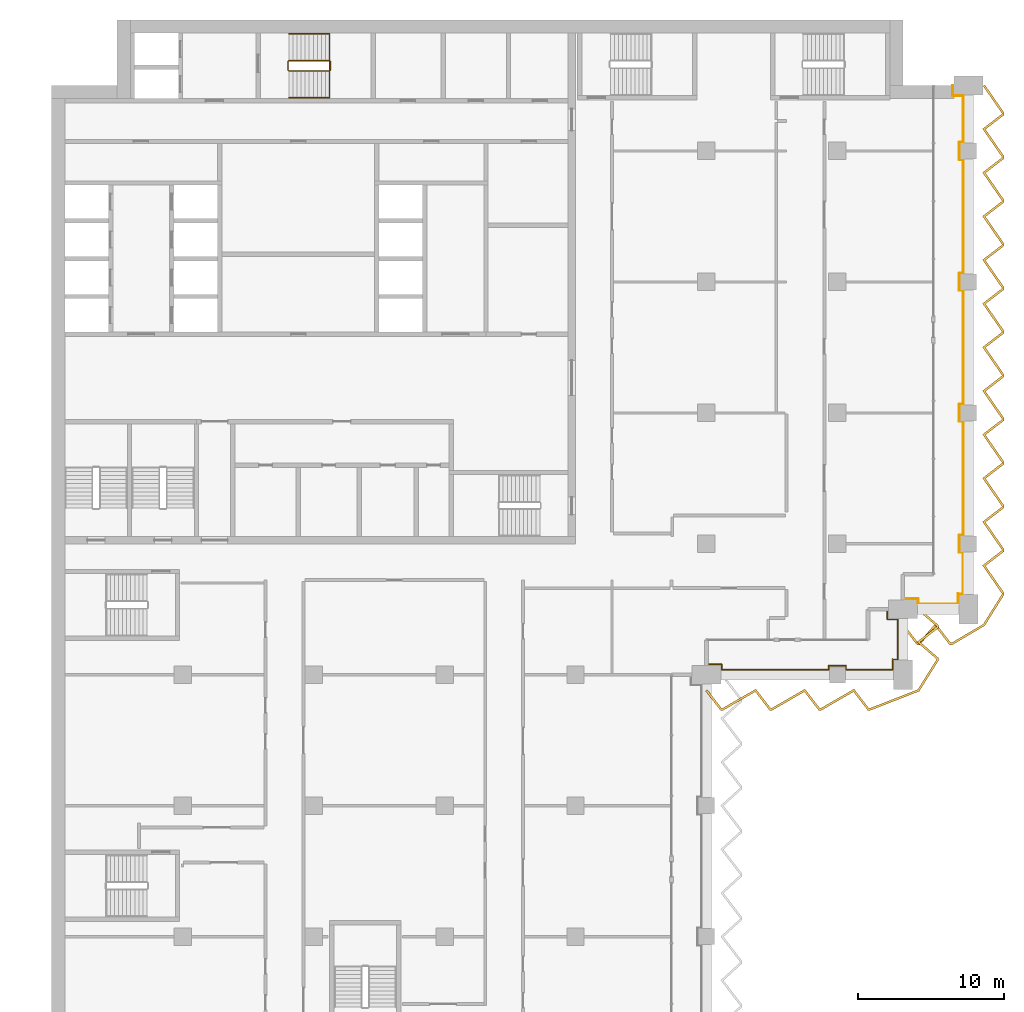
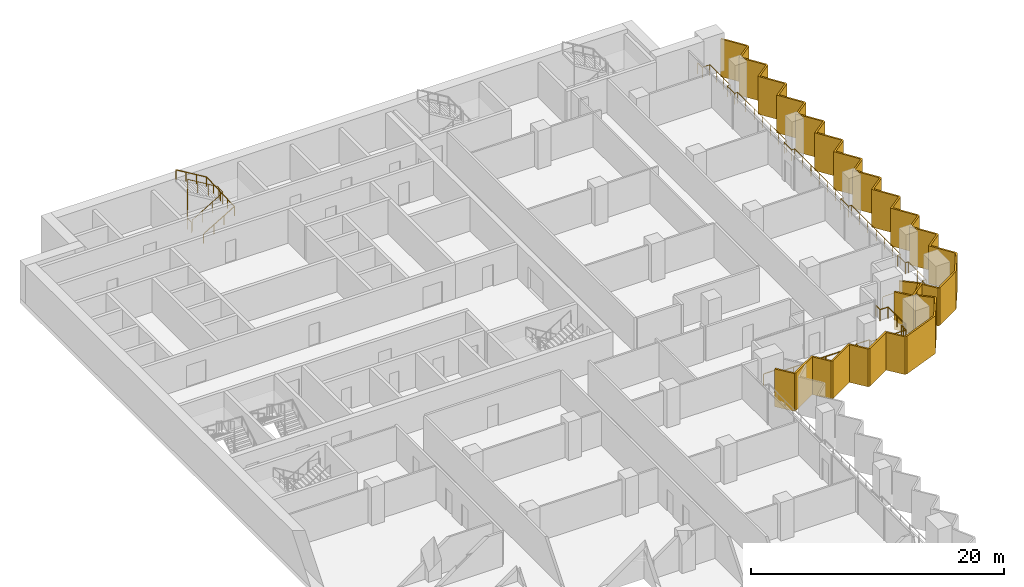
# One storey, part 21 of 22: 4 railings, 2 shading devices.
"""IFC4 building model written with IfcOpenShell, lengths in metres."""

from ifc_helpers import new_model, si_unit, direction, frame, origin, origin_2d, place, context, subcontext, project, spatial, polyline, circle, outline, extrude, material, layer, layer_set, type_object, element, save


model = new_model("IFC4")

# Units and contexts
model_context = context("Model", 3, precision=1e-05, world=origin(), true_north=direction((0.0, 1.0)))
body_context = subcontext(model_context, "Body", "Model", "MODEL_VIEW")
ifc_project = project(units=[si_unit("LENGTHUNIT", "METRE"), si_unit("AREAUNIT", "SQUARE_METRE"), si_unit("VOLUMEUNIT", "CUBIC_METRE"), si_unit("PLANEANGLEUNIT", "RADIAN"), si_unit("MASSUNIT", "GRAM", prefix="KILO")], contexts=[model_context])

# Site, building, storey
site_placement = place(None, origin())
site = spatial("IfcSite", under=ifc_project, at=site_placement, CompositionType="ELEMENT")
building_placement = place(site_placement, origin())
building = spatial("IfcBuilding", under=site, at=building_placement, Name="Hunhe Ridgeline Campus", CompositionType="ELEMENT")
storey_placement = place(building_placement, frame((0.0, 0.0, 163.39990234375)))
storey = spatial("IfcBuildingStorey", under=building, at=storey_placement, Name="L41", CompositionType="ELEMENT", Elevation=163.39990234375)

# Railings
ifc_material_1 = material(Name="Steel Q355", Category="steel")
railing_type_1 = type_object("IfcRailingType", Name="Loggia guard 1100 Steel Q355", PredefinedType="GUARDRAIL", material=ifc_material_1)
railing_1_placement = place(storey_placement, frame((45.0, 54.719970703125, 0.0)))
element("IfcRailing", 1, at=railing_1_placement, inside=storey, type_object=railing_type_1, Name="Loggia guard 2", PredefinedType="GUARDRAIL", context=body_context, shape_type="SweptSolid", body=[
    extrude(circle(Radius=0.02392578125, at=origin_2d()), frame((0.0, 0.0, 1.076171875), z_axis=(1.0, 0.0, 0.0), x_axis=(0.0, 1.0, 0.0)), (0.0, 0.0, 1.0), 1.050048828125),
    extrude(circle(Radius=0.02392578125, at=origin_2d()), frame((1.050048828125, 0.0, 1.076171875), z_axis=(0.0, -1.0, 0.0), x_axis=(1.0, 0.0, 0.0)), (0.0, 0.0, 1.0), 0.369873046875),
    extrude(circle(Radius=0.02392578125, at=origin_2d()), frame((1.050048828125, -0.369873046875, 1.076171875), z_axis=(1.0, 0.0, 0.0), x_axis=(0.0, 1.0, 0.0)), (0.0, 0.0, 1.0), 7.349853515625),
    extrude(circle(Radius=0.02392578125, at=origin_2d()), frame((8.39990234375, -0.369873046875, 1.076171875), z_axis=(0.0, 1.0, 0.0), x_axis=(-1.0, 0.0, 0.0)), (0.0, 0.0, 1.0), 0.27001953125),
    extrude(circle(Radius=0.02392578125, at=origin_2d()), frame((8.39990234375, -0.099853515625, 1.076171875), z_axis=(1.0, 0.0, 0.0), x_axis=(0.0, 1.0, 0.0)), (0.0, 0.0, 1.0), 1.2001953125),
    extrude(circle(Radius=0.02392578125, at=origin_2d()), frame((9.60009765625, -0.099853515625, 1.076171875), z_axis=(0.0, -1.0, 0.0), x_axis=(1.0, 0.0, 0.0)), (0.0, 0.0, 1.0), 0.27001953125),
    extrude(circle(Radius=0.02392578125, at=origin_2d()), frame((9.60009765625, -0.369873046875, 1.076171875), z_axis=(1.0, 0.0, 0.0), x_axis=(0.0, 1.0, 0.0)), (0.0, 0.0, 1.0), 3.199951171875),
    extrude(circle(Radius=0.02392578125, at=origin_2d()), frame((12.800048828125, -0.369873046875, 1.076171875), z_axis=(0.0, 1.0, 0.0), x_axis=(-1.0, 0.0, 0.0)), (0.0, 0.0, 1.0), 0.719970703125),
    extrude(circle(Radius=0.02392578125, at=origin_2d()), frame((12.800048828125, 0.35009765625, 1.076171875), z_axis=(-0.057089444596, -0.998369067688, 0.0), x_axis=(0.998369067688, -0.057089444596, 0.0)), (0.0, 0.0, 1.0), 0.3505859375),
    extrude(circle(Radius=0.02392578125, at=origin_2d()), frame((12.780029296875, 0.0, 1.076171875), z_axis=(0.0, 1.0, 0.0), x_axis=(-1.0, 0.0, 0.0)), (0.0, 0.0, 1.0), 0.330078125),
    extrude(circle(Radius=0.02392578125, at=origin_2d()), frame((12.780029296875, 0.330078125, 1.076171875), z_axis=(1.0, 0.0, 0.0), x_axis=(0.0, 1.0, 0.0)), (0.0, 0.0, 1.0), 0.369873046875),
    extrude(circle(Radius=0.02392578125, at=origin_2d()), frame((13.14990234375, 0.330078125, 1.076171875), z_axis=(0.0, 1.0, 0.0), x_axis=(-1.0, 0.0, 0.0)), (0.0, 0.0, 1.0), 2.75),
    extrude(circle(Radius=0.02392578125, at=origin_2d()), frame((13.14990234375, 3.080078125, 1.076171875), z_axis=(-1.0, 0.0, 0.0), x_axis=(0.0, -1.0, 0.0)), (0.0, 0.0, 1.0), 0.719970703125),
    extrude(circle(Radius=0.02392578125, at=origin_2d()), frame((12.429931640625, 3.080078125, 1.076171875), z_axis=(0.0, 1.0, 0.0), x_axis=(-1.0, 0.0, 0.0)), (0.0, 0.0, 1.0), 0.699951171875),
    extrude(circle(Radius=0.02099609375, at=origin_2d()), origin(), (0.0, 0.0, 1.0), 1.052001953125),
    extrude(circle(Radius=0.02099609375, at=origin_2d()), frame((1.050048828125, 0.0, 0.0)), (0.0, 0.0, 1.0), 1.052001953125),
    extrude(circle(Radius=0.02099609375, at=origin_2d()), frame((1.050048828125, -0.369873046875, 0.0)), (0.0, 0.0, 1.0), 1.052001953125),
    extrude(circle(Radius=0.02099609375, at=origin_2d()), frame((2.52001953125, -0.369873046875, 0.0)), (0.0, 0.0, 1.0), 1.052001953125),
    extrude(circle(Radius=0.02099609375, at=origin_2d()), frame((3.989990234375, -0.369873046875, 0.0)), (0.0, 0.0, 1.0), 1.052001953125),
    extrude(circle(Radius=0.02099609375, at=origin_2d()), frame((5.4599609375, -0.369873046875, 0.0)), (0.0, 0.0, 1.0), 1.052001953125),
    extrude(circle(Radius=0.02099609375, at=origin_2d()), frame((6.929931640625, -0.369873046875, 0.0)), (0.0, 0.0, 1.0), 1.052001953125),
    extrude(circle(Radius=0.02099609375, at=origin_2d()), frame((8.39990234375, -0.369873046875, 0.0)), (0.0, 0.0, 1.0), 1.052001953125),
    extrude(circle(Radius=0.02099609375, at=origin_2d()), frame((8.39990234375, -0.099853515625, 0.0)), (0.0, 0.0, 1.0), 1.052001953125),
    extrude(circle(Radius=0.02099609375, at=origin_2d()), frame((9.60009765625, -0.099853515625, 0.0)), (0.0, 0.0, 1.0), 1.052001953125),
    extrude(circle(Radius=0.02099609375, at=origin_2d()), frame((9.60009765625, -0.369873046875, 0.0)), (0.0, 0.0, 1.0), 1.052001953125),
    extrude(circle(Radius=0.02099609375, at=origin_2d()), frame((10.666748046875, -0.369873046875, 0.0)), (0.0, 0.0, 1.0), 1.052001953125),
    extrude(circle(Radius=0.02099609375, at=origin_2d()), frame((11.7333984375, -0.369873046875, 0.0)), (0.0, 0.0, 1.0), 1.052001953125),
    extrude(circle(Radius=0.02099609375, at=origin_2d()), frame((12.800048828125, -0.369873046875, 0.0)), (0.0, 0.0, 1.0), 1.052001953125),
    extrude(circle(Radius=0.02099609375, at=origin_2d()), frame((12.800048828125, 0.35009765625, 0.0)), (0.0, 0.0, 1.0), 1.052001953125),
    extrude(circle(Radius=0.02099609375, at=origin_2d()), frame((12.780029296875, 0.0, 0.0)), (0.0, 0.0, 1.0), 1.052001953125),
    extrude(circle(Radius=0.02099609375, at=origin_2d()), frame((12.780029296875, 0.330078125, 0.0)), (0.0, 0.0, 1.0), 1.052001953125),
    extrude(circle(Radius=0.02099609375, at=origin_2d()), frame((13.14990234375, 0.330078125, 0.0)), (0.0, 0.0, 1.0), 1.052001953125),
    extrude(circle(Radius=0.02099609375, at=origin_2d()), frame((13.14990234375, 1.705078125, 0.0)), (0.0, 0.0, 1.0), 1.052001953125),
    extrude(circle(Radius=0.02099609375, at=origin_2d()), frame((13.14990234375, 3.080078125, 0.0)), (0.0, 0.0, 1.0), 1.052001953125),
    extrude(circle(Radius=0.02099609375, at=origin_2d()), frame((12.429931640625, 3.080078125, 0.0)), (0.0, 0.0, 1.0), 1.052001953125),
    extrude(circle(Radius=0.02099609375, at=origin_2d()), frame((12.429931640625, 3.780029296875, 0.0)), (0.0, 0.0, 1.0), 1.052001953125),
])
railing_2_placement = place(storey_placement, frame((58.5, 59.219970703125, 0.0)))
element("IfcRailing", 2, at=railing_2_placement, inside=storey, type_object=railing_type_1, Name="Loggia guard 3", PredefinedType="GUARDRAIL", context=body_context, shape_type="SweptSolid", body=[
    extrude(circle(Radius=0.02392578125, at=origin_2d()), frame((0.0, 0.0, 1.076171875), z_axis=(1.0, 0.0, 0.0), x_axis=(0.0, 1.0, 0.0)), (0.0, 0.0, 1.0), 1.050048828125),
    extrude(circle(Radius=0.02392578125, at=origin_2d()), frame((1.050048828125, 0.0, 1.076171875), z_axis=(0.0, -1.0, 0.0), x_axis=(1.0, 0.0, 0.0)), (0.0, 0.0, 1.0), 0.369873046875),
    extrude(circle(Radius=0.02392578125, at=origin_2d()), frame((1.050048828125, -0.369873046875, 1.076171875), z_axis=(1.0, 0.0, 0.0), x_axis=(0.0, 1.0, 0.0)), (0.0, 0.0, 1.0), 2.75),
    extrude(circle(Radius=0.02392578125, at=origin_2d()), frame((3.800048828125, -0.369873046875, 1.076171875), z_axis=(0.0, 1.0, 0.0), x_axis=(-1.0, 0.0, 0.0)), (0.0, 0.0, 1.0), 0.719970703125),
    extrude(circle(Radius=0.02392578125, at=origin_2d()), frame((3.800048828125, 0.35009765625, 1.076171875), z_axis=(-0.057089444596, -0.998369067688, 0.0), x_axis=(0.998369067688, -0.057089444596, 0.0)), (0.0, 0.0, 1.0), 0.3505859375),
    extrude(circle(Radius=0.02392578125, at=origin_2d()), frame((3.780029296875, 0.0, 1.076171875), z_axis=(0.0, 1.0, 0.0), x_axis=(-1.0, 0.0, 0.0)), (0.0, 0.0, 1.0), 0.330078125),
    extrude(circle(Radius=0.02392578125, at=origin_2d()), frame((3.780029296875, 0.330078125, 1.076171875), z_axis=(1.0, 0.0, 0.0), x_axis=(0.0, 1.0, 0.0)), (0.0, 0.0, 1.0), 0.369873046875),
    extrude(circle(Radius=0.02392578125, at=origin_2d()), frame((4.14990234375, 0.330078125, 1.076171875), z_axis=(0.0, 1.0, 0.0), x_axis=(-1.0, 0.0, 0.0)), (0.0, 0.0, 1.0), 2.849853515625),
    extrude(circle(Radius=0.02392578125, at=origin_2d()), frame((4.14990234375, 3.179931640625, 1.076171875), z_axis=(-1.0, 0.0, 0.0), x_axis=(0.0, -1.0, 0.0)), (0.0, 0.0, 1.0), 0.27001953125),
    extrude(circle(Radius=0.02392578125, at=origin_2d()), frame((3.8798828125, 3.179931640625, 1.076171875), z_axis=(0.0, 1.0, 0.0), x_axis=(-1.0, 0.0, 0.0)), (0.0, 0.0, 1.0), 1.2001953125),
    extrude(circle(Radius=0.02392578125, at=origin_2d()), frame((3.8798828125, 4.380126953125, 1.076171875), z_axis=(1.0, 0.0, 0.0), x_axis=(0.0, 1.0, 0.0)), (0.0, 0.0, 1.0), 0.27001953125),
    extrude(circle(Radius=0.02392578125, at=origin_2d()), frame((4.14990234375, 4.380126953125, 1.076171875), z_axis=(0.0, 1.0, 0.0), x_axis=(-1.0, 0.0, 0.0)), (0.0, 0.0, 1.0), 7.7998046875),
    extrude(circle(Radius=0.02392578125, at=origin_2d()), frame((4.14990234375, 12.179931640625, 1.076171875), z_axis=(-1.0, 0.0, 0.0), x_axis=(0.0, -1.0, 0.0)), (0.0, 0.0, 1.0), 0.27001953125),
    extrude(circle(Radius=0.02392578125, at=origin_2d()), frame((3.8798828125, 12.179931640625, 1.076171875), z_axis=(0.0, 1.0, 0.0), x_axis=(-1.0, 0.0, 0.0)), (0.0, 0.0, 1.0), 1.2001953125),
    extrude(circle(Radius=0.02392578125, at=origin_2d()), frame((3.8798828125, 13.380126953125, 1.076171875), z_axis=(1.0, 0.0, 0.0), x_axis=(0.0, 1.0, 0.0)), (0.0, 0.0, 1.0), 0.27001953125),
    extrude(circle(Radius=0.02392578125, at=origin_2d()), frame((4.14990234375, 13.380126953125, 1.076171875), z_axis=(0.0, 1.0, 0.0), x_axis=(-1.0, 0.0, 0.0)), (0.0, 0.0, 1.0), 7.7998046875),
    extrude(circle(Radius=0.02392578125, at=origin_2d()), frame((4.14990234375, 21.179931640625, 1.076171875), z_axis=(-1.0, 0.0, 0.0), x_axis=(0.0, -1.0, 0.0)), (0.0, 0.0, 1.0), 0.27001953125),
    extrude(circle(Radius=0.02392578125, at=origin_2d()), frame((3.8798828125, 21.179931640625, 1.076171875), z_axis=(0.0, 1.0, 0.0), x_axis=(-1.0, 0.0, 0.0)), (0.0, 0.0, 1.0), 1.2001953125),
    extrude(circle(Radius=0.02392578125, at=origin_2d()), frame((3.8798828125, 22.380126953125, 1.076171875), z_axis=(1.0, 0.0, 0.0), x_axis=(0.0, 1.0, 0.0)), (0.0, 0.0, 1.0), 0.27001953125),
    extrude(circle(Radius=0.02392578125, at=origin_2d()), frame((4.14990234375, 22.380126953125, 1.076171875), z_axis=(0.0, 1.0, 0.0), x_axis=(-1.0, 0.0, 0.0)), (0.0, 0.0, 1.0), 7.7998046875),
    extrude(circle(Radius=0.02392578125, at=origin_2d()), frame((4.14990234375, 30.179931640625, 1.076171875), z_axis=(-1.0, 0.0, 0.0), x_axis=(0.0, -1.0, 0.0)), (0.0, 0.0, 1.0), 0.27001953125),
    extrude(circle(Radius=0.02392578125, at=origin_2d()), frame((3.8798828125, 30.179931640625, 1.076171875), z_axis=(0.0, 1.0, 0.0), x_axis=(-1.0, 0.0, 0.0)), (0.0, 0.0, 1.0), 1.2001953125),
    extrude(circle(Radius=0.02392578125, at=origin_2d()), frame((3.8798828125, 31.380126953125, 1.076171875), z_axis=(1.0, 0.0, 0.0), x_axis=(0.0, 1.0, 0.0)), (0.0, 0.0, 1.0), 0.27001953125),
    extrude(circle(Radius=0.02392578125, at=origin_2d()), frame((4.14990234375, 31.380126953125, 1.076171875), z_axis=(0.0, 1.0, 0.0), x_axis=(-1.0, 0.0, 0.0)), (0.0, 0.0, 1.0), 3.199951171875),
    extrude(circle(Radius=0.02392578125, at=origin_2d()), frame((4.14990234375, 34.580078125, 1.076171875), z_axis=(-1.0, 0.0, 0.0), x_axis=(0.0, -1.0, 0.0)), (0.0, 0.0, 1.0), 0.719970703125),
    extrude(circle(Radius=0.02392578125, at=origin_2d()), frame((3.429931640625, 34.580078125, 1.076171875), z_axis=(0.0, 1.0, 0.0), x_axis=(-1.0, 0.0, 0.0)), (0.0, 0.0, 1.0), 0.699951171875),
    extrude(circle(Radius=0.02099609375, at=origin_2d()), origin(), (0.0, 0.0, 1.0), 1.052001953125),
    extrude(circle(Radius=0.02099609375, at=origin_2d()), frame((1.050048828125, 0.0, 0.0)), (0.0, 0.0, 1.0), 1.052001953125),
    extrude(circle(Radius=0.02099609375, at=origin_2d()), frame((1.050048828125, -0.369873046875, 0.0)), (0.0, 0.0, 1.0), 1.052001953125),
    extrude(circle(Radius=0.02099609375, at=origin_2d()), frame((2.425048828125, -0.369873046875, 0.0)), (0.0, 0.0, 1.0), 1.052001953125),
    extrude(circle(Radius=0.02099609375, at=origin_2d()), frame((3.800048828125, -0.369873046875, 0.0)), (0.0, 0.0, 1.0), 1.052001953125),
    extrude(circle(Radius=0.02099609375, at=origin_2d()), frame((3.800048828125, 0.35009765625, 0.0)), (0.0, 0.0, 1.0), 1.052001953125),
    extrude(circle(Radius=0.02099609375, at=origin_2d()), frame((3.780029296875, 0.0, 0.0)), (0.0, 0.0, 1.0), 1.052001953125),
    extrude(circle(Radius=0.02099609375, at=origin_2d()), frame((3.780029296875, 0.330078125, 0.0)), (0.0, 0.0, 1.0), 1.052001953125),
    extrude(circle(Radius=0.02099609375, at=origin_2d()), frame((4.14990234375, 0.330078125, 0.0)), (0.0, 0.0, 1.0), 1.052001953125),
    extrude(circle(Radius=0.02099609375, at=origin_2d()), frame((4.14990234375, 1.7548828125, 0.0)), (0.0, 0.0, 1.0), 1.052001953125),
    extrude(circle(Radius=0.02099609375, at=origin_2d()), frame((4.14990234375, 3.179931640625, 0.0)), (0.0, 0.0, 1.0), 1.052001953125),
    extrude(circle(Radius=0.02099609375, at=origin_2d()), frame((3.8798828125, 3.179931640625, 0.0)), (0.0, 0.0, 1.0), 1.052001953125),
    extrude(circle(Radius=0.02099609375, at=origin_2d()), frame((3.8798828125, 4.380126953125, 0.0)), (0.0, 0.0, 1.0), 1.052001953125),
    extrude(circle(Radius=0.02099609375, at=origin_2d()), frame((4.14990234375, 4.380126953125, 0.0)), (0.0, 0.0, 1.0), 1.052001953125),
    extrude(circle(Radius=0.02099609375, at=origin_2d()), frame((4.14990234375, 5.68017578125, 0.0)), (0.0, 0.0, 1.0), 1.052001953125),
    extrude(circle(Radius=0.02099609375, at=origin_2d()), frame((4.14990234375, 6.97998046875, 0.0)), (0.0, 0.0, 1.0), 1.052001953125),
    extrude(circle(Radius=0.02099609375, at=origin_2d()), frame((4.14990234375, 8.280029296875, 0.0)), (0.0, 0.0, 1.0), 1.052001953125),
    extrude(circle(Radius=0.02099609375, at=origin_2d()), frame((4.14990234375, 9.580078125, 0.0)), (0.0, 0.0, 1.0), 1.052001953125),
    extrude(circle(Radius=0.02099609375, at=origin_2d()), frame((4.14990234375, 10.8798828125, 0.0)), (0.0, 0.0, 1.0), 1.052001953125),
    extrude(circle(Radius=0.02099609375, at=origin_2d()), frame((4.14990234375, 12.179931640625, 0.0)), (0.0, 0.0, 1.0), 1.052001953125),
    extrude(circle(Radius=0.02099609375, at=origin_2d()), frame((3.8798828125, 12.179931640625, 0.0)), (0.0, 0.0, 1.0), 1.052001953125),
    extrude(circle(Radius=0.02099609375, at=origin_2d()), frame((3.8798828125, 13.380126953125, 0.0)), (0.0, 0.0, 1.0), 1.052001953125),
    extrude(circle(Radius=0.02099609375, at=origin_2d()), frame((4.14990234375, 13.380126953125, 0.0)), (0.0, 0.0, 1.0), 1.052001953125),
    extrude(circle(Radius=0.02099609375, at=origin_2d()), frame((4.14990234375, 14.68017578125, 0.0)), (0.0, 0.0, 1.0), 1.052001953125),
    extrude(circle(Radius=0.02099609375, at=origin_2d()), frame((4.14990234375, 15.97998046875, 0.0)), (0.0, 0.0, 1.0), 1.052001953125),
    extrude(circle(Radius=0.02099609375, at=origin_2d()), frame((4.14990234375, 17.280029296875, 0.0)), (0.0, 0.0, 1.0), 1.052001953125),
    extrude(circle(Radius=0.02099609375, at=origin_2d()), frame((4.14990234375, 18.580078125, 0.0)), (0.0, 0.0, 1.0), 1.052001953125),
    extrude(circle(Radius=0.02099609375, at=origin_2d()), frame((4.14990234375, 19.8798828125, 0.0)), (0.0, 0.0, 1.0), 1.052001953125),
    extrude(circle(Radius=0.02099609375, at=origin_2d()), frame((4.14990234375, 21.179931640625, 0.0)), (0.0, 0.0, 1.0), 1.052001953125),
    extrude(circle(Radius=0.02099609375, at=origin_2d()), frame((3.8798828125, 21.179931640625, 0.0)), (0.0, 0.0, 1.0), 1.052001953125),
    extrude(circle(Radius=0.02099609375, at=origin_2d()), frame((3.8798828125, 22.380126953125, 0.0)), (0.0, 0.0, 1.0), 1.052001953125),
    extrude(circle(Radius=0.02099609375, at=origin_2d()), frame((4.14990234375, 22.380126953125, 0.0)), (0.0, 0.0, 1.0), 1.052001953125),
    extrude(circle(Radius=0.02099609375, at=origin_2d()), frame((4.14990234375, 23.68017578125, 0.0)), (0.0, 0.0, 1.0), 1.052001953125),
    extrude(circle(Radius=0.02099609375, at=origin_2d()), frame((4.14990234375, 24.97998046875, 0.0)), (0.0, 0.0, 1.0), 1.052001953125),
    extrude(circle(Radius=0.02099609375, at=origin_2d()), frame((4.14990234375, 26.280029296875, 0.0)), (0.0, 0.0, 1.0), 1.052001953125),
    extrude(circle(Radius=0.02099609375, at=origin_2d()), frame((4.14990234375, 27.580078125, 0.0)), (0.0, 0.0, 1.0), 1.052001953125),
    extrude(circle(Radius=0.02099609375, at=origin_2d()), frame((4.14990234375, 28.8798828125, 0.0)), (0.0, 0.0, 1.0), 1.052001953125),
    extrude(circle(Radius=0.02099609375, at=origin_2d()), frame((4.14990234375, 30.179931640625, 0.0)), (0.0, 0.0, 1.0), 1.052001953125),
    extrude(circle(Radius=0.02099609375, at=origin_2d()), frame((3.8798828125, 30.179931640625, 0.0)), (0.0, 0.0, 1.0), 1.052001953125),
    extrude(circle(Radius=0.02099609375, at=origin_2d()), frame((3.8798828125, 31.380126953125, 0.0)), (0.0, 0.0, 1.0), 1.052001953125),
    extrude(circle(Radius=0.02099609375, at=origin_2d()), frame((4.14990234375, 31.380126953125, 0.0)), (0.0, 0.0, 1.0), 1.052001953125),
    extrude(circle(Radius=0.02099609375, at=origin_2d()), frame((4.14990234375, 32.44677734375, 0.0)), (0.0, 0.0, 1.0), 1.052001953125),
    extrude(circle(Radius=0.02099609375, at=origin_2d()), frame((4.14990234375, 33.513427734375, 0.0)), (0.0, 0.0, 1.0), 1.052001953125),
    extrude(circle(Radius=0.02099609375, at=origin_2d()), frame((4.14990234375, 34.580078125, 0.0)), (0.0, 0.0, 1.0), 1.052001953125),
    extrude(circle(Radius=0.02099609375, at=origin_2d()), frame((3.429931640625, 34.580078125, 0.0)), (0.0, 0.0, 1.0), 1.052001953125),
    extrude(circle(Radius=0.02099609375, at=origin_2d()), frame((3.429931640625, 35.280029296875, 0.0)), (0.0, 0.0, 1.0), 1.052001953125),
])

# Shading devices
ifc_material_2 = material(Name="Concrete C50", Category="concrete")
ifc_layer = layer(ifc_material_2, 0.14990234375)
ifc_layer_set = layer_set([ifc_layer], Name="Sawtooth concrete fin 150 Concrete C50")
shading_device_type = type_object("IfcShadingDeviceType", Name="Sawtooth concrete fin 150 Concrete C50", PredefinedType="USERDEFINED", material=ifc_layer_set)
shading_device_1_placement = place(storey_placement, frame((0.0, 0.0, -0.949951171875)))
element("IfcShadingDevice", 3, at=shading_device_1_placement, inside=storey, type_object=shading_device_type, Name="Concrete fin screen 2", ObjectType="FIN", PredefinedType="USERDEFINED", context=body_context, shape_type="SweptSolid", body=[
    extrude(outline(polyline([(45.059326171875, 52.970703125), (44.940673828125, 52.879150390625), (45.965087890625, 51.550048828125), (46.14208984375, 51.550048828125), (48.355712890625, 52.8271484375), (49.340087890625, 51.550048828125), (49.51708984375, 51.550048828125), (51.730712890625, 52.8271484375), (52.715087890625, 51.550048828125), (52.89208984375, 51.550048828125), (55.105712890625, 52.8271484375), (56.090087890625, 51.550048828125), (56.26123046875, 51.550048828125), (59.62548828125, 52.8642578125), (60.949951171875, 54.98046875), (60.949951171875, 55.15625), (59.693359375, 56.24658203125), (60.949951171875, 57.215087890625), (60.949951171875, 57.40625), (59.624267578125, 58.556640625), (59.52587890625, 58.443359375), (60.800048828125, 57.337890625), (60.800048828125, 57.288818359375), (59.45654296875, 56.25341796875), (60.800048828125, 55.087890625), (60.800048828125, 55.023681640625), (59.524658203125, 52.98583984375), (56.23291015625, 51.699951171875), (56.163818359375, 51.699951171875), (55.144287109375, 53.022705078125), (52.85205078125, 51.699951171875), (52.788818359375, 51.699951171875), (51.769287109375, 53.022705078125), (49.47705078125, 51.699951171875), (49.413818359375, 51.699951171875), (48.394287109375, 53.022705078125), (46.10205078125, 51.699951171875), (46.038818359375, 51.699951171875), (45.059326171875, 52.970703125)])), origin(), (0.0, 0.0, 1.0), 3.650146484375),
])
shading_device_2_placement = place(storey_placement, frame((0.0, 0.0, -0.949951171875)))
element("IfcShadingDevice", 4, at=shading_device_2_placement, inside=storey, type_object=shading_device_type, Name="Concrete fin screen 3", ObjectType="FIN", PredefinedType="USERDEFINED", context=body_context, shape_type="SweptSolid", body=[
    extrude(outline(polyline([(58.559326171875, 57.470703125), (58.440673828125, 57.379150390625), (59.465087890625, 56.050048828125), (59.65625, 56.050048828125), (60.74658203125, 57.306640625), (61.715087890625, 56.050048828125), (61.892578125, 56.050048828125), (64.12890625, 57.36962890625), (65.449951171875, 59.48046875), (65.449951171875, 59.6455078125), (64.17724609375, 61.484130859375), (65.449951171875, 62.465087890625), (65.449951171875, 62.6455078125), (64.17724609375, 64.484130859375), (65.449951171875, 65.465087890625), (65.449951171875, 65.6455078125), (64.17724609375, 67.484130859375), (65.449951171875, 68.465087890625), (65.449951171875, 68.6455078125), (64.17724609375, 70.484130859375), (65.449951171875, 71.465087890625), (65.449951171875, 71.6455078125), (64.17724609375, 73.484130859375), (65.449951171875, 74.465087890625), (65.449951171875, 74.6455078125), (64.17724609375, 76.484130859375), (65.449951171875, 77.465087890625), (65.449951171875, 77.6455078125), (64.17724609375, 79.484130859375), (65.449951171875, 80.465087890625), (65.449951171875, 80.6455078125), (64.17724609375, 82.484130859375), (65.449951171875, 83.465087890625), (65.449951171875, 83.6455078125), (64.17724609375, 85.484130859375), (65.449951171875, 86.465087890625), (65.449951171875, 86.6455078125), (64.17724609375, 88.484130859375), (65.449951171875, 89.465087890625), (65.449951171875, 89.6455078125), (64.17724609375, 91.484130859375), (65.449951171875, 92.465087890625), (65.449951171875, 92.6455078125), (64.13671875, 94.542724609375), (64.013427734375, 94.457275390625), (65.300048828125, 92.5986328125), (65.300048828125, 92.538818359375), (63.97265625, 91.515869140625), (65.300048828125, 89.5986328125), (65.300048828125, 89.538818359375), (63.97265625, 88.515869140625), (65.300048828125, 86.5986328125), (65.300048828125, 86.538818359375), (63.97265625, 85.515869140625), (65.300048828125, 83.5986328125), (65.300048828125, 83.538818359375), (63.97265625, 82.515869140625), (65.300048828125, 80.5986328125), (65.300048828125, 80.538818359375), (63.97265625, 79.515869140625), (65.300048828125, 77.5986328125), (65.300048828125, 77.538818359375), (63.97265625, 76.515869140625), (65.300048828125, 74.5986328125), (65.300048828125, 74.538818359375), (63.97265625, 73.515869140625), (65.300048828125, 71.5986328125), (65.300048828125, 71.538818359375), (63.97265625, 70.515869140625), (65.300048828125, 68.5986328125), (65.300048828125, 68.538818359375), (63.97265625, 67.515869140625), (65.300048828125, 65.5986328125), (65.300048828125, 65.538818359375), (63.97265625, 64.515869140625), (65.300048828125, 62.5986328125), (65.300048828125, 62.538818359375), (63.97265625, 61.515869140625), (65.300048828125, 59.5986328125), (65.300048828125, 59.523681640625), (64.021240234375, 57.480224609375), (61.8515625, 56.199951171875), (61.788818359375, 56.199951171875), (60.75341796875, 57.54345703125), (59.587890625, 56.199951171875), (59.538818359375, 56.199951171875), (58.559326171875, 57.470703125)])), origin(), (0.0, 0.0, 1.0), 3.650146484375),
])

# Railings
ifc_material_3 = material(Name="Stainless steel balustrade", Category="steel")
railing_type_2 = type_object("IfcRailingType", Name="Stair guard 1100 stainless", PredefinedType="GUARDRAIL", material=ifc_material_3)
railing_3_placement = place(storey_placement, frame((16.300048828125, 95.5, 0.168212890625)))
element("IfcRailing", 5, at=railing_3_placement, inside=storey, type_object=railing_type_2, Name="L41 stair S1 guard", PredefinedType="GUARDRAIL", context=body_context, shape_type="SweptSolid", body=[
    extrude(circle(Radius=0.02392578125, at=origin_2d()), frame((0.0, 0.0, 1.076171875), z_axis=(0.857242210791, 0.0, 0.514913383045), x_axis=(0.0, 1.0, 0.0)), (0.0, 0.0, 1.0), 3.266357421875),
    extrude(circle(Radius=0.02392578125, at=origin_2d()), frame((2.800048828125, 0.0, 2.7578125), z_axis=(0.705375805398, 0.708833529934, 0.0), x_axis=(-0.708833529934, 0.705375805398, 0.0)), (0.0, 0.0, 1.0), 0.070556640625),
    extrude(circle(Radius=0.02392578125, at=origin_2d()), frame((2.849853515625, 0.050048828125, 2.7578125), z_axis=(0.0, 1.0, 0.0), x_axis=(-1.0, 0.0, 0.0)), (0.0, 0.0, 1.0), 0.599853515625),
    extrude(circle(Radius=0.02392578125, at=origin_2d()), frame((2.849853515625, 0.64990234375, 2.7578125), z_axis=(-0.273006030465, 0.27434429532, 0.922064485248), x_axis=(-0.708833529934, -0.705375805398, 0.0)), (0.0, 0.0, 1.0), 0.182373046875),
    extrude(circle(Radius=0.02392578125, at=origin_2d()), frame((2.800048828125, 0.699951171875, 2.92626953125), z_axis=(-0.857242210791, 0.0, 0.514913383045), x_axis=(0.0, -1.0, 0.0)), (0.0, 0.0, 1.0), 3.266357421875),
    extrude(circle(Radius=0.02392578125, at=origin_2d()), frame((0.0, 0.699951171875, 4.60791015625), z_axis=(-0.013523522368, -0.013523522368, -0.999817097616), x_axis=(0.707106781187, -0.707106781187, 0.0)), (0.0, 0.0, 1.0), 3.700927734375),
    extrude(circle(Radius=0.02392578125, at=origin_2d()), frame((-0.050048828125, 0.64990234375, 0.90771484375), z_axis=(0.0, -1.0, 0.0), x_axis=(1.0, 0.0, 0.0)), (0.0, 0.0, 1.0), 0.599853515625),
    extrude(circle(Radius=0.02099609375, at=origin_2d()), origin(), (0.0, 0.0, 1.0), 1.052001953125),
    extrude(circle(Radius=0.02099609375, at=origin_2d()), frame((0.933349609375, 0.0, 0.560546875)), (0.0, 0.0, 1.0), 1.052001953125),
    extrude(circle(Radius=0.02099609375, at=origin_2d()), frame((1.86669921875, 0.0, 1.121337890625)), (0.0, 0.0, 1.0), 1.052001953125),
    extrude(circle(Radius=0.02099609375, at=origin_2d()), frame((2.800048828125, 0.0, 1.681884765625)), (0.0, 0.0, 1.0), 1.052001953125),
    extrude(circle(Radius=0.02099609375, at=origin_2d()), frame((2.849853515625, 0.050048828125, 1.681884765625)), (0.0, 0.0, 1.0), 1.052001953125),
    extrude(circle(Radius=0.02099609375, at=origin_2d()), frame((2.849853515625, 0.64990234375, 1.681884765625)), (0.0, 0.0, 1.0), 1.052001953125),
    extrude(circle(Radius=0.02099609375, at=origin_2d()), frame((2.800048828125, 0.699951171875, 1.85009765625)), (0.0, 0.0, 1.0), 1.052001953125),
    extrude(circle(Radius=0.02099609375, at=origin_2d()), frame((1.86669921875, 0.699951171875, 2.41064453125)), (0.0, 0.0, 1.0), 1.052001953125),
    extrude(circle(Radius=0.02099609375, at=origin_2d()), frame((0.933349609375, 0.699951171875, 2.971435546875)), (0.0, 0.0, 1.0), 1.052001953125),
    extrude(circle(Radius=0.02099609375, at=origin_2d()), frame((0.0, 0.699951171875, 3.531982421875)), (0.0, 0.0, 1.0), 1.052001953125),
    extrude(circle(Radius=0.02099609375, at=origin_2d()), frame((-0.012451171875, 0.6875, 2.60693359375)), (0.0, 0.0, 1.0), 1.052001953125),
    extrude(circle(Radius=0.02099609375, at=origin_2d()), frame((-0.02490234375, 0.6748046875, 1.681884765625)), (0.0, 0.0, 1.0), 1.052001953125),
    extrude(circle(Radius=0.02099609375, at=origin_2d()), frame((-0.03759765625, 0.662353515625, 0.7568359375)), (0.0, 0.0, 1.0), 1.052001953125),
    extrude(circle(Radius=0.02099609375, at=origin_2d()), frame((-0.050048828125, 0.64990234375, -0.168212890625)), (0.0, 0.0, 1.0), 1.052001953125),
    extrude(circle(Radius=0.02099609375, at=origin_2d()), frame((-0.050048828125, 0.050048828125, -0.168212890625)), (0.0, 0.0, 1.0), 1.052001953125),
])
ifc_material_4 = material(Name="Stainless steel handrail", Category="steel")
railing_type_3 = type_object("IfcRailingType", Name="Stair handrail 900 stainless", PredefinedType="HANDRAIL", material=ifc_material_4)
railing_4_placement = place(storey_placement, frame((16.300048828125, 93.64990234375, 0.168212890625)))
element("IfcRailing", 6, at=railing_4_placement, inside=storey, type_object=railing_type_3, Name="L41 stair S1 handrail", PredefinedType="HANDRAIL", context=body_context, shape_type="SweptSolid", body=[
    extrude(circle(Radius=0.02392578125, at=origin_2d()), frame((0.0, 0.0, 0.8759765625), z_axis=(0.857242210791, 0.0, 0.514913383045), x_axis=(0.0, 1.0, 0.0)), (0.0, 0.0, 1.0), 3.266357421875),
    extrude(circle(Radius=0.02392578125, at=origin_2d()), frame((2.800048828125, 0.0, 2.5576171875), z_axis=(0.0, 0.999270074432, 0.038201025428), x_axis=(-1.0, 0.0, 0.0)), (0.0, 0.0, 1.0), 4.4033203125),
    extrude(circle(Radius=0.02392578125, at=origin_2d()), frame((2.800048828125, 4.400146484375, 2.72607421875), z_axis=(-0.857242210791, 0.0, 0.514913383045), x_axis=(0.0, -1.0, 0.0)), (0.0, 0.0, 1.0), 3.266357421875),
    extrude(circle(Radius=0.02099609375, at=origin_2d()), origin(), (0.0, 0.0, 1.0), 0.851806640625),
    extrude(circle(Radius=0.02099609375, at=origin_2d()), frame((0.933349609375, 0.0, 0.560546875)), (0.0, 0.0, 1.0), 0.851806640625),
    extrude(circle(Radius=0.02099609375, at=origin_2d()), frame((1.86669921875, 0.0, 1.121337890625)), (0.0, 0.0, 1.0), 0.851806640625),
    extrude(circle(Radius=0.02099609375, at=origin_2d()), frame((2.800048828125, 0.0, 1.681884765625)), (0.0, 0.0, 1.0), 0.851806640625),
    extrude(circle(Radius=0.02099609375, at=origin_2d()), frame((2.800048828125, 1.10009765625, 1.723876953125)), (0.0, 0.0, 1.0), 0.851806640625),
    extrude(circle(Radius=0.02099609375, at=origin_2d()), frame((2.800048828125, 2.2001953125, 1.76611328125)), (0.0, 0.0, 1.0), 0.851806640625),
    extrude(circle(Radius=0.02099609375, at=origin_2d()), frame((2.800048828125, 3.300048828125, 1.80810546875)), (0.0, 0.0, 1.0), 0.851806640625),
    extrude(circle(Radius=0.02099609375, at=origin_2d()), frame((2.800048828125, 4.400146484375, 1.85009765625)), (0.0, 0.0, 1.0), 0.851806640625),
    extrude(circle(Radius=0.02099609375, at=origin_2d()), frame((1.86669921875, 4.400146484375, 2.41064453125)), (0.0, 0.0, 1.0), 0.851806640625),
    extrude(circle(Radius=0.02099609375, at=origin_2d()), frame((0.933349609375, 4.400146484375, 2.971435546875)), (0.0, 0.0, 1.0), 0.851806640625),
    extrude(circle(Radius=0.02099609375, at=origin_2d()), frame((0.0, 4.400146484375, 3.531982421875)), (0.0, 0.0, 1.0), 0.851806640625),
])

save(model, "model.ifc")
